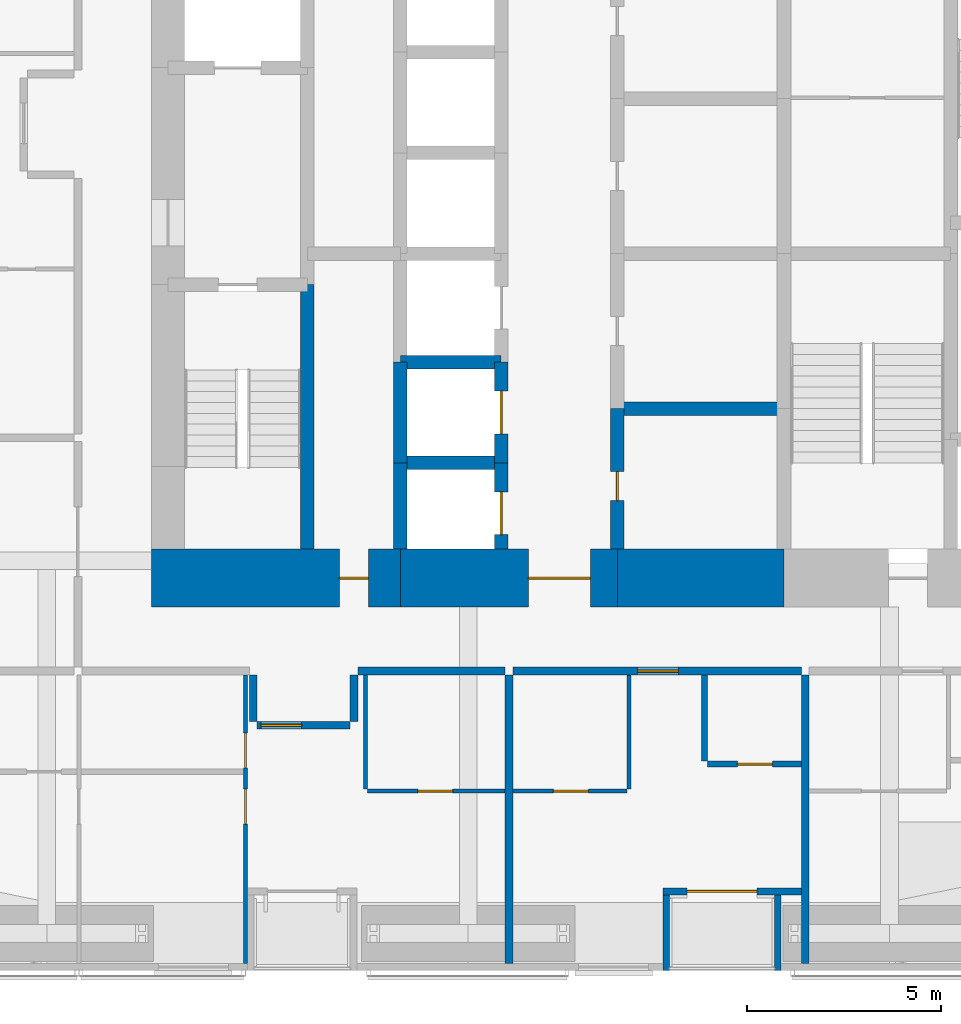
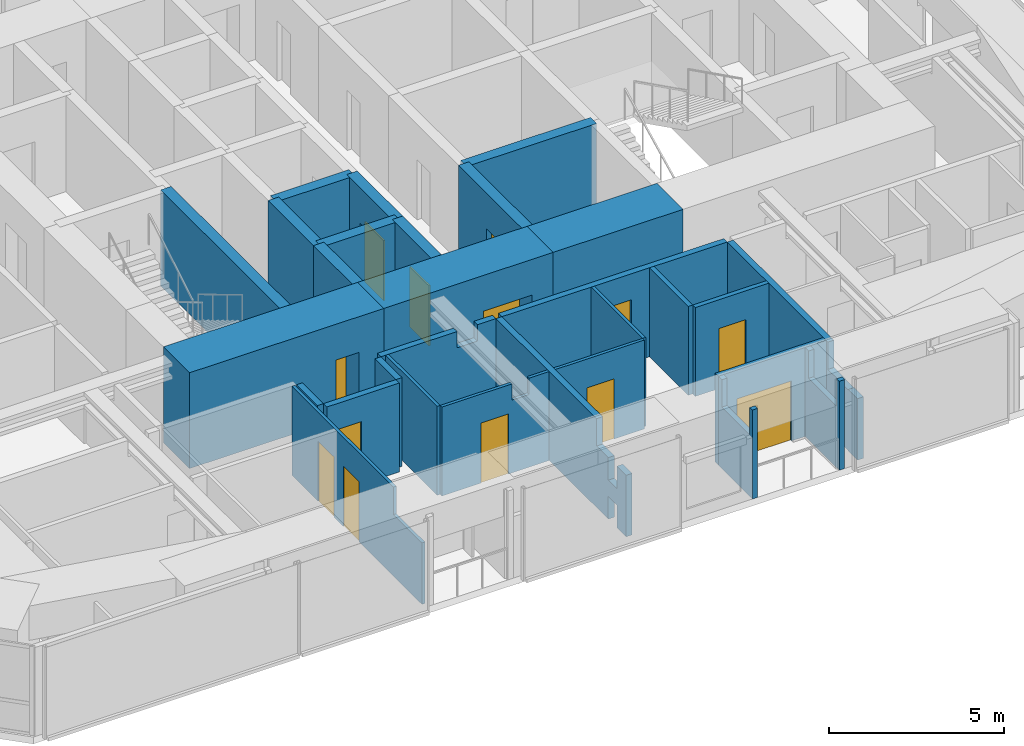
# One storey, part 18 of 25: 29 walls, 13 doors, 13 openings.
"""IFC4 building model written with IfcOpenShell, lengths in metres."""

from ifc_helpers import new_model, si_unit, direction, frame, frame_2d, origin, place, context, subcontext, project, spatial, polyline, rectangle, outline, extrude, material, layer, layer_set, constituent, constituent_set, type_object, element, fill, save


model = new_model("IFC4")

# Units and contexts
model_context = context("Model", 3, precision=1e-05, world=origin(), true_north=direction((0.0, 1.0)))
body_context = subcontext(model_context, "Body", "Model", "MODEL_VIEW")
ifc_project = project(units=[si_unit("LENGTHUNIT", "METRE"), si_unit("AREAUNIT", "SQUARE_METRE"), si_unit("VOLUMEUNIT", "CUBIC_METRE"), si_unit("PLANEANGLEUNIT", "RADIAN"), si_unit("MASSUNIT", "GRAM", prefix="KILO")], contexts=[model_context])

# Site, building, storey
site_placement = place(None, origin())
site = spatial("IfcSite", under=ifc_project, at=site_placement, CompositionType="ELEMENT")
building_placement = place(site_placement, origin())
building = spatial("IfcBuilding", under=site, at=building_placement, Name="Jalousie Tower", CompositionType="ELEMENT")
storey_placement = place(building_placement, frame((0.0, 0.0, 101.5)))
storey = spatial("IfcBuildingStorey", under=building, at=storey_placement, Name="L27", CompositionType="ELEMENT", Elevation=101.5)

# Wall, opening, door
ifc_material_1 = material(Name="Concrete block ASTM C90", Category="concrete")
ifc_constituent_1 = constituent(ifc_material_1, Name="Body")
ifc_material_2 = material(Name="Render")
ifc_constituent_2 = constituent(ifc_material_2, Name="Finish")
ifc_constituent_set_1 = constituent_set(constituents=[ifc_constituent_1, ifc_constituent_2])
wall_type_1 = type_object("IfcWallType", Name="BATHROOM WALL 150", PredefinedType="PLUMBINGWALL", material=ifc_constituent_set_1)
wall_1_placement = place(storey_placement, frame((33.925048828125, 5.324951171875, 0.0), z_axis=(0.0, 0.0, 1.0), x_axis=(1.0, 0.0, 0.0)))
wall_1 = element("IfcWall", 1, at=wall_1_placement, inside=storey, type_object=wall_type_1, Name="Bathroom Wall 150 L27", PredefinedType="PLUMBINGWALL", context=body_context, shape_type="SweptSolid", body=[
    extrude(rectangle(XDim=2.425048828125, YDim=0.14990234375, at=frame_2d((1.21240234375, 0.0))), origin(), (0.0, 0.0, 1.0), 3.110107421875),
])
opening_1_placement = place(wall_1_placement, frame((0.77490234375, 0.0, 0.0)))
opening_1 = element("IfcOpeningElement", 2, at=opening_1_placement, cuts=wall_1, Name="Opening D3", PredefinedType="OPENING", context=body_context, shape_type="SweptSolid", body=[
    extrude(rectangle(XDim=0.89990234375, YDim=2.10009765625, at=frame_2d((0.449951171875, 1.050048828125))), frame((0.0, 0.0849609375, 0.0), z_axis=(0.0, -1.0, 0.0), x_axis=(1.0, 0.0, 0.0)), (0.0, 0.0, 1.0), 0.169921875),
])
ifc_material_3 = material(Name="Timber door", Category="wood")
door_type_1 = type_object("IfcDoorType", Name="BATHROOM DOOR 900", OperationType="SINGLE_SWING_LEFT", PredefinedType="DOOR", material=ifc_material_3)
door_1_placement = place(opening_1_placement, origin())
door_1 = element("IfcDoor", 3, at=door_1_placement, inside=storey, type_object=door_type_1, Name="Apartment 2702 bathroom door", OperationType="SINGLE_SWING_RIGHT", OverallHeight=2.10009765625, OverallWidth=0.89990234375, PredefinedType="DOOR", context=body_context, shape_type="SweptSolid", body=[
    extrude(rectangle(XDim=0.89990234375, YDim=2.10009765625, at=frame_2d((0.449951171875, 1.050048828125))), frame((0.0, 0.02490234375, 0.0), z_axis=(0.0, -1.0, 0.0), x_axis=(1.0, 0.0, 0.0)), (0.0, 0.0, 1.0), 0.050048828125),
])
fill(opening_1, door_1)

# Wall
wall_2_placement = place(storey_placement, frame((33.85009765625, 5.39990234375, 0.0), z_axis=(0.0, 0.0, 1.0), x_axis=(0.0, 1.0, 0.0)))
element("IfcWall", 4, at=wall_2_placement, inside=storey, type_object=wall_type_1, Name="Bathroom Wall 150 L27", PredefinedType="PLUMBINGWALL", context=body_context, shape_type="SweptSolid", body=[
    extrude(rectangle(XDim=2.22509765625, YDim=0.14990234375, at=frame_2d((1.112548828125, 0.0))), origin(), (0.0, 0.0, 1.0), 3.110107421875),
])

# Wall, opening, door
ifc_material_4 = material(Name="Concrete f'c 120 MPa", Category="concrete")
ifc_layer_1 = layer(ifc_material_4, 1.5)
ifc_layer_set_1 = layer_set([ifc_layer_1], Name="Concrete f'c 120 MPa")
wall_type_2 = type_object("IfcWallType", Name="CORE WALL 1500", PredefinedType="SHEAR", material=ifc_layer_set_1)
wall_3_placement = place(storey_placement, frame((19.574951171875, 10.125, 0.0), z_axis=(0.0, 0.0, 1.0), x_axis=(1.0, 0.0, 0.0)))
wall_3 = element("IfcWall", 5, at=wall_3_placement, inside=storey, type_object=wall_type_2, Name="Core wall SA L27", PredefinedType="SHEAR", context=body_context, shape_type="SweptSolid", body=[
    extrude(rectangle(XDim=6.425048828125, YDim=1.5, at=frame_2d((3.21240234375, 0.0))), origin(), (0.0, 0.0, 1.0), 3.35009765625),
])
opening_2_placement = place(wall_3_placement, frame((4.85009765625, 0.0, 0.0)))
opening_2 = element("IfcOpeningElement", 6, at=opening_2_placement, cuts=wall_3, Name="Opening D16", PredefinedType="OPENING", context=body_context, shape_type="SweptSolid", body=[
    extrude(rectangle(XDim=0.75, YDim=2.10009765625, at=frame_2d((0.375, 1.050048828125))), frame((0.0, 0.760009765625, 0.0), z_axis=(0.0, -1.0, 0.0), x_axis=(1.0, 0.0, 0.0)), (0.0, 0.0, 1.0), 1.52001953125),
])
ifc_material_5 = material(Name="Steel fire door", Category="steel")
door_type_2 = type_object("IfcDoorType", Name="RISER DOOR 750", OperationType="SINGLE_SWING_LEFT", PredefinedType="DOOR", material=ifc_material_5)
door_2_placement = place(opening_2_placement, origin())
door_2 = element("IfcDoor", 7, at=door_2_placement, inside=storey, type_object=door_type_2, Name="South riser door", OperationType="SINGLE_SWING_LEFT", OverallHeight=2.10009765625, OverallWidth=0.75, PredefinedType="DOOR", context=body_context, shape_type="SweptSolid", body=[
    extrude(rectangle(XDim=0.75, YDim=2.10009765625, at=frame_2d((0.375, 1.050048828125))), frame((0.0, 0.02490234375, 0.0), z_axis=(0.0, -1.0, 0.0), x_axis=(1.0, 0.0, 0.0)), (0.0, 0.0, 1.0), 0.050048828125),
])
fill(opening_2, door_2)

wall_4_placement = place(storey_placement, frame((26.0, 10.125, 0.0), z_axis=(0.0, 0.0, 1.0), x_axis=(1.0, 0.0, 0.0)))
wall_4 = element("IfcWall", 8, at=wall_4_placement, inside=storey, type_object=wall_type_2, Name="Core wall SB L27", PredefinedType="SHEAR", context=body_context, shape_type="SweptSolid", body=[
    extrude(rectangle(XDim=5.60009765625, YDim=1.5, at=frame_2d((2.800048828125, 0.0))), origin(), (0.0, 0.0, 1.0), 3.35009765625),
])
opening_3_placement = place(wall_4_placement, frame((3.300048828125, 0.0, 0.0)))
opening_3 = element("IfcOpeningElement", 9, at=opening_3_placement, cuts=wall_4, Name="Opening D15", PredefinedType="OPENING", context=body_context, shape_type="SweptSolid", body=[
    extrude(rectangle(XDim=1.60009765625, YDim=2.10009765625, at=frame_2d((0.800048828125, 1.050048828125))), frame((0.0, 0.760009765625, 0.0), z_axis=(0.0, -1.0, 0.0), x_axis=(1.0, 0.0, 0.0)), (0.0, 0.0, 1.0), 1.52001953125),
])
ifc_material_6 = material(Name="Steel fire door", Category="steel")
door_type_3 = type_object("IfcDoorType", Name="LIFT LOBBY DOOR 1600", OperationType="DOUBLE_DOOR_SINGLE_SWING", PredefinedType="DOOR", material=ifc_material_6)
door_3_placement = place(opening_3_placement, origin())
door_3 = element("IfcDoor", 10, at=door_3_placement, inside=storey, type_object=door_type_3, Name="Lift lobby south door", OperationType="DOUBLE_DOOR_SINGLE_SWING", OverallHeight=2.10009765625, OverallWidth=1.60009765625, PredefinedType="DOOR", context=body_context, shape_type="SweptSolid", body=[
    extrude(rectangle(XDim=1.60009765625, YDim=2.10009765625, at=frame_2d((0.800048828125, 1.050048828125))), frame((0.0, 0.02490234375, 0.0), z_axis=(0.0, -1.0, 0.0), x_axis=(1.0, 0.0, 0.0)), (0.0, 0.0, 1.0), 0.050048828125),
])
fill(opening_3, door_3)

# Walls
wall_5_placement = place(storey_placement, frame((31.60009765625, 10.125, 0.0), z_axis=(0.0, 0.0, 1.0), x_axis=(1.0, 0.0, 0.0)))
element("IfcWall", 11, at=wall_5_placement, inside=storey, type_object=wall_type_2, Name="Core wall SC L27", PredefinedType="SHEAR", context=body_context, shape_type="SweptSolid", body=[
    extrude(rectangle(XDim=4.2998046875, YDim=1.5, at=frame_2d((2.14990234375, 0.0))), origin(), (0.0, 0.0, 1.0), 3.35009765625),
])
ifc_material_7 = material(Name="Concrete f'c 120 MPa", Category="concrete")
ifc_layer_2 = layer(ifc_material_7, 0.35009765625)
ifc_layer_set_2 = layer_set([ifc_layer_2], Name="Concrete f'c 120 MPa")
wall_type_3 = type_object("IfcWallType", Name="CORE WALL 350", PredefinedType="SHEAR", material=ifc_layer_set_2)
wall_6_placement = place(storey_placement, frame((23.60009765625, 10.875, 0.0), z_axis=(0.0, 0.0, 1.0), x_axis=(0.0, 1.0, 0.0)))
element("IfcWall", 12, at=wall_6_placement, inside=storey, type_object=wall_type_3, Name="Core wall X23.6A L27", PredefinedType="SHEAR", context=body_context, shape_type="SweptSolid", body=[
    extrude(rectangle(XDim=6.824951171875, YDim=0.35009765625, at=frame_2d((3.41259765625, 0.0))), origin(), (0.0, 0.0, 1.0), 3.35009765625),
])
wall_7_placement = place(storey_placement, frame((26.0, 10.875, 0.0), z_axis=(0.0, 0.0, 1.0), x_axis=(0.0, 1.0, 0.0)))
element("IfcWall", 13, at=wall_7_placement, inside=storey, type_object=wall_type_3, Name="Core wall X26A L27", PredefinedType="SHEAR", context=body_context, shape_type="SweptSolid", body=[
    extrude(rectangle(XDim=2.22509765625, YDim=0.35009765625, at=frame_2d((1.112548828125, 0.0))), origin(), (0.0, 0.0, 1.0), 3.35009765625),
])
wall_8_placement = place(storey_placement, frame((26.0, 13.10009765625, 0.0), z_axis=(0.0, 0.0, 1.0), x_axis=(0.0, 1.0, 0.0)))
element("IfcWall", 14, at=wall_8_placement, inside=storey, type_object=wall_type_3, Name="Core wall X26B L27", PredefinedType="SHEAR", context=body_context, shape_type="SweptSolid", body=[
    extrude(rectangle(XDim=2.599853515625, YDim=0.35009765625, at=frame_2d((1.2998046875, 0.0))), origin(), (0.0, 0.0, 1.0), 3.35009765625),
])

# Wall, opening, door
wall_9_placement = place(storey_placement, frame((28.60009765625, 10.875, 0.0), z_axis=(0.0, 0.0, 1.0), x_axis=(0.0, 1.0, 0.0)))
wall_9 = element("IfcWall", 15, at=wall_9_placement, inside=storey, type_object=wall_type_3, Name="Core wall X28.6A L27", PredefinedType="SHEAR", context=body_context, shape_type="SweptSolid", body=[
    extrude(rectangle(XDim=2.22509765625, YDim=0.35009765625, at=frame_2d((1.112548828125, 0.0))), origin(), (0.0, 0.0, 1.0), 3.35009765625),
])
opening_4_placement = place(wall_9_placement, frame((0.375, 0.0, 0.0)))
opening_4 = element("IfcOpeningElement", 16, at=opening_4_placement, cuts=wall_9, Name="Opening LD1", PredefinedType="OPENING", context=body_context, shape_type="SweptSolid", body=[
    extrude(rectangle(XDim=1.10009765625, YDim=2.10009765625, at=frame_2d((0.550048828125, 1.050048828125))), frame((0.0, 0.18505859375, 0.0), z_axis=(0.0, -1.0, 0.0), x_axis=(1.0, 0.0, 0.0)), (0.0, 0.0, 1.0), 0.3701171875),
])
ifc_material_8 = material(Name="Steel lift landing door", Category="steel")
door_type_4 = type_object("IfcDoorType", Name="LIFT LANDING DOOR 1100", OperationType="SLIDING_TO_LEFT", PredefinedType="DOOR", material=ifc_material_8)
door_4_placement = place(opening_4_placement, origin())
door_4 = element("IfcDoor", 17, at=door_4_placement, inside=storey, type_object=door_type_4, Name="Lift P1 landing door", OperationType="SLIDING_TO_LEFT", OverallHeight=2.10009765625, OverallWidth=1.10009765625, PredefinedType="DOOR", context=body_context, shape_type="SweptSolid", body=[
    extrude(rectangle(XDim=1.10009765625, YDim=2.10009765625, at=frame_2d((0.550048828125, 1.050048828125))), frame((0.0, 0.02490234375, 0.0), z_axis=(0.0, -1.0, 0.0), x_axis=(1.0, 0.0, 0.0)), (0.0, 0.0, 1.0), 0.050048828125),
])
fill(opening_4, door_4)

wall_10_placement = place(storey_placement, frame((28.60009765625, 13.10009765625, 0.0), z_axis=(0.0, 0.0, 1.0), x_axis=(0.0, 1.0, 0.0)))
wall_10 = element("IfcWall", 18, at=wall_10_placement, inside=storey, type_object=wall_type_3, Name="Core wall X28.6B L27", PredefinedType="SHEAR", context=body_context, shape_type="SweptSolid", body=[
    extrude(rectangle(XDim=2.599853515625, YDim=0.35009765625, at=frame_2d((1.2998046875, 0.0))), origin(), (0.0, 0.0, 1.0), 3.35009765625),
])
opening_5_placement = place(wall_10_placement, frame((0.75, 0.0, 0.0)))
opening_5 = element("IfcOpeningElement", 19, at=opening_5_placement, cuts=wall_10, Name="Opening LD1", PredefinedType="OPENING", context=body_context, shape_type="SweptSolid", body=[
    extrude(rectangle(XDim=1.10009765625, YDim=2.10009765625, at=frame_2d((0.550048828125, 1.050048828125))), frame((0.0, 0.18505859375, 0.0), z_axis=(0.0, -1.0, 0.0), x_axis=(1.0, 0.0, 0.0)), (0.0, 0.0, 1.0), 0.3701171875),
])
door_5_placement = place(opening_5_placement, origin())
door_5 = element("IfcDoor", 20, at=door_5_placement, inside=storey, type_object=door_type_4, Name="Lift P2 landing door", OperationType="SLIDING_TO_LEFT", OverallHeight=2.10009765625, OverallWidth=1.10009765625, PredefinedType="DOOR", context=body_context, shape_type="SweptSolid", body=[
    extrude(rectangle(XDim=1.10009765625, YDim=2.10009765625, at=frame_2d((0.550048828125, 1.050048828125))), frame((0.0, 0.02490234375, 0.0), z_axis=(0.0, -1.0, 0.0), x_axis=(1.0, 0.0, 0.0)), (0.0, 0.0, 1.0), 0.050048828125),
])
fill(opening_5, door_5)

wall_11_placement = place(storey_placement, frame((31.60009765625, 10.875, 0.0), z_axis=(0.0, 0.0, 1.0), x_axis=(0.0, 1.0, 0.0)))
wall_11 = element("IfcWall", 21, at=wall_11_placement, inside=storey, type_object=wall_type_3, Name="Core wall X31.6A L27", PredefinedType="SHEAR", context=body_context, shape_type="SweptSolid", body=[
    extrude(rectangle(XDim=3.625, YDim=0.35009765625, at=frame_2d((1.8125, 0.0))), origin(), (0.0, 0.0, 1.0), 3.35009765625),
])
opening_6_placement = place(wall_11_placement, frame((1.25, 0.0, 0.0)))
opening_6 = element("IfcOpeningElement", 22, at=opening_6_placement, cuts=wall_11, Name="Opening D16", PredefinedType="OPENING", context=body_context, shape_type="SweptSolid", body=[
    extrude(rectangle(XDim=0.75, YDim=2.10009765625, at=frame_2d((0.375, 1.050048828125))), frame((0.0, 0.18505859375, 0.0), z_axis=(0.0, -1.0, 0.0), x_axis=(1.0, 0.0, 0.0)), (0.0, 0.0, 1.0), 0.3701171875),
])
door_6_placement = place(opening_6_placement, frame((0.75, 0.0, 0.0), z_axis=(0.0, 0.0, 1.0), x_axis=(-1.0, 0.0, 0.0)))
door_6 = element("IfcDoor", 23, at=door_6_placement, inside=storey, type_object=door_type_2, Name="Refuse Room door", OperationType="SINGLE_SWING_RIGHT", OverallHeight=2.10009765625, OverallWidth=0.75, PredefinedType="DOOR", context=body_context, shape_type="SweptSolid", body=[
    extrude(rectangle(XDim=0.75, YDim=2.10009765625, at=frame_2d((0.375, 1.050048828125))), frame((0.0, 0.02490234375, 0.0), z_axis=(0.0, -1.0, 0.0), x_axis=(1.0, 0.0, 0.0)), (0.0, 0.0, 1.0), 0.050048828125),
])
fill(opening_6, door_6)

# Walls
for number, where, z_axis, x_axis, name in (
    (24, (26.0, 13.10009765625, 0.0), (0.0, 0.0, 1.0), (1.0, 0.0, 0.0), "Core wall Y26-13.1 L27"),
    (25, (26.0, 15.699951171875, 0.0), (0.0, 0.0, 1.0), (1.0, 0.0, 0.0), "Core wall Y26-15.7 L27"),
):
    element("IfcWall", number, at=place(storey_placement, frame(where, z_axis=z_axis, x_axis=x_axis)), inside=storey, type_object=wall_type_3, Name=name, PredefinedType="SHEAR", context=body_context, shape_type="SweptSolid", body=[
        extrude(rectangle(XDim=2.60009765625, YDim=0.35009765625, at=frame_2d((1.300048828125, 0.0))), origin(), (0.0, 0.0, 1.0), 3.35009765625),
    ])
wall_12_placement = place(storey_placement, frame((31.60009765625, 14.5, 0.0), z_axis=(0.0, 0.0, 1.0), x_axis=(1.0, 0.0, 0.0)))
element("IfcWall", 26, at=wall_12_placement, inside=storey, type_object=wall_type_3, Name="Core wall Y31.6-14.5 L27", PredefinedType="SHEAR", context=body_context, shape_type="SweptSolid", body=[
    extrude(rectangle(XDim=4.2998046875, YDim=0.35009765625, at=frame_2d((2.14990234375, 0.0))), origin(), (0.0, 0.0, 1.0), 3.35009765625),
])

# Wall, opening, door
ifc_material_9 = material(Name="Concrete block ASTM C90", Category="concrete")
ifc_constituent_3 = constituent(ifc_material_9, Name="Body")
ifc_material_10 = material(Name="Render")
ifc_constituent_4 = constituent(ifc_material_10, Name="Finish")
ifc_constituent_set_2 = constituent_set(constituents=[ifc_constituent_3, ifc_constituent_4])
wall_type_4 = type_object("IfcWallType", Name="CORRIDOR WALL 200", PredefinedType="PARTITIONING", material=ifc_constituent_set_2)
wall_13_placement = place(storey_placement, frame((28.89990234375, 7.72509765625, 0.0), z_axis=(0.0, 0.0, 1.0), x_axis=(1.0, 0.0, 0.0)))
wall_13 = element("IfcWall", 27, at=wall_13_placement, inside=storey, type_object=wall_type_4, Name="Corridor Wall 200 L27", PredefinedType="PARTITIONING", context=body_context, shape_type="SweptSolid", body=[
    extrude(rectangle(XDim=7.4501953125, YDim=0.199951171875, at=frame_2d((3.72509765625, 0.0))), origin(), (0.0, 0.0, 1.0), 3.110107421875),
])
opening_7_placement = place(wall_13_placement, frame((3.22509765625, 0.0, 0.0)))
opening_7 = element("IfcOpeningElement", 28, at=opening_7_placement, cuts=wall_13, Name="Opening D1", PredefinedType="OPENING", context=body_context, shape_type="SweptSolid", body=[
    extrude(rectangle(XDim=1.050048828125, YDim=2.199951171875, at=frame_2d((0.52490234375, 1.10009765625))), frame((0.0, 0.10986328125, 0.0), z_axis=(0.0, -1.0, 0.0), x_axis=(1.0, 0.0, 0.0)), (0.0, 0.0, 1.0), 0.219970703125),
])
ifc_material_11 = material(Name="Timber fire door", Category="wood")
door_type_5 = type_object("IfcDoorType", Name="APARTMENT ENTRANCE DOOR 1050", OperationType="SINGLE_SWING_LEFT", PredefinedType="DOOR", material=ifc_material_11)
door_7_placement = place(opening_7_placement, frame((1.050048828125, 0.0, 0.0), z_axis=(0.0, 0.0, 1.0), x_axis=(-1.0, 0.0, 0.0)))
door_7 = element("IfcDoor", 29, at=door_7_placement, inside=storey, type_object=door_type_5, Name="Apartment 2702 entrance", OperationType="SINGLE_SWING_RIGHT", OverallHeight=2.199951171875, OverallWidth=1.050048828125, PredefinedType="DOOR", context=body_context, shape_type="SweptSolid", body=[
    extrude(rectangle(XDim=1.050048828125, YDim=2.199951171875, at=frame_2d((0.52490234375, 1.10009765625))), frame((0.0, 0.02490234375, 0.0), z_axis=(0.0, -1.0, 0.0), x_axis=(1.0, 0.0, 0.0)), (0.0, 0.0, 1.0), 0.050048828125),
])
fill(opening_7, door_7)

# Wall
wall_14_placement = place(storey_placement, frame((24.89990234375, 7.72509765625, 0.0), z_axis=(0.0, 0.0, 1.0), x_axis=(1.0, 0.0, 0.0)))
element("IfcWall", 30, at=wall_14_placement, inside=storey, type_object=wall_type_4, Name="Corridor Wall 200 L27", PredefinedType="PARTITIONING", context=body_context, shape_type="SweptSolid", body=[
    extrude(outline(polyline([(0.0, 0.0), (3.800048828125, 0.0), (3.800048828125, 3.110107421875), (3.187255859375, 3.110107421875), (3.187255859375, 2.541015625), (2.5126953125, 2.541015625), (2.5126953125, 3.110107421875), (0.0, 3.110107421875), (0.0, 0.0)])), frame((0.0, 0.10009765625, 0.0), z_axis=(0.0, -1.0, 0.0), x_axis=(1.0, 0.0, 0.0)), (0.0, 0.0, 1.0), 0.199951171875),
])

# Wall, opening, door
wall_15_placement = place(storey_placement, frame((22.300048828125, 6.324951171875, 0.0), z_axis=(0.0, 0.0, 1.0), x_axis=(1.0, 0.0, 0.0)))
wall_15 = element("IfcWall", 31, at=wall_15_placement, inside=storey, type_object=wall_type_4, Name="Corridor Wall 200 L27", PredefinedType="PARTITIONING", context=body_context, shape_type="SweptSolid", body=[
    extrude(rectangle(XDim=2.39990234375, YDim=0.199951171875, at=frame_2d((1.199951171875, 0.0))), origin(), (0.0, 0.0, 1.0), 3.110107421875),
])
opening_8_placement = place(wall_15_placement, frame((0.10009765625, 0.0, 0.0)))
opening_8 = element("IfcOpeningElement", 32, at=opening_8_placement, cuts=wall_15, Name="Opening D1", PredefinedType="OPENING", context=body_context, shape_type="SweptSolid", body=[
    extrude(rectangle(XDim=1.050048828125, YDim=2.199951171875, at=frame_2d((0.52490234375, 1.10009765625))), frame((0.0, 0.10986328125, 0.0), z_axis=(0.0, -1.0, 0.0), x_axis=(1.0, 0.0, 0.0)), (0.0, 0.0, 1.0), 0.219970703125),
])
door_8_placement = place(opening_8_placement, frame((1.050048828125, 0.0, 0.0), z_axis=(0.0, 0.0, 1.0), x_axis=(-1.0, 0.0, 0.0)))
door_8 = element("IfcDoor", 33, at=door_8_placement, inside=storey, type_object=door_type_5, Name="Apartment 2701 entrance", OperationType="SINGLE_SWING_RIGHT", OverallHeight=2.199951171875, OverallWidth=1.050048828125, PredefinedType="DOOR", context=body_context, shape_type="SweptSolid", body=[
    extrude(rectangle(XDim=1.050048828125, YDim=2.199951171875, at=frame_2d((0.52490234375, 1.10009765625))), frame((0.0, 0.02490234375, 0.0), z_axis=(0.0, -1.0, 0.0), x_axis=(1.0, 0.0, 0.0)), (0.0, 0.0, 1.0), 0.050048828125),
])
fill(opening_8, door_8)

# Walls
for number, where, z_axis, x_axis, name in (
    (34, (22.199951171875, 7.625, 0.0), (0.0, 0.0, 1.0), (0.0, -1.0, 0.0), "Corridor Wall 200 L27"),
    (35, (24.800048828125, 7.625, 0.0), (0.0, 0.0, 1.0), (0.0, -1.0, 0.0), "Corridor Wall 200 L27"),
):
    element("IfcWall", number, at=place(storey_placement, frame(where, z_axis=z_axis, x_axis=x_axis)), inside=storey, type_object=wall_type_4, Name=name, PredefinedType="PARTITIONING", context=body_context, shape_type="SweptSolid", body=[
        extrude(rectangle(XDim=1.199951171875, YDim=0.199951171875, at=frame_2d((0.60009765625, 0.0))), origin(), (0.0, 0.0, 1.0), 3.110107421875),
    ])

# Wall, opening, door
ifc_material_12 = material(Name="Concrete f'c 40 MPa", Category="concrete")
ifc_constituent_5 = constituent(ifc_material_12, Name="Body")
ifc_material_13 = material(Name="Render, pastel sea green")
ifc_constituent_6 = constituent(ifc_material_13, Name="Finish")
ifc_constituent_set_3 = constituent_set(constituents=[ifc_constituent_5, ifc_constituent_6])
wall_type_5 = type_object("IfcWallType", Name="EXTERNAL WALL 175 SEA GREEN RENDER", PredefinedType="SOLIDWALL", material=ifc_constituent_set_3)
wall_16_placement = place(storey_placement, frame((32.77490234375, 2.03759765625, 0.0), z_axis=(0.0, 0.0, 1.0), x_axis=(1.0, 0.0, 0.0)))
wall_16 = element("IfcWall", 36, at=wall_16_placement, inside=storey, type_object=wall_type_5, Name="External Wall 175 Sea Green Render L27", PredefinedType="SOLIDWALL", context=body_context, shape_type="SweptSolid", body=[
    extrude(rectangle(XDim=3.5751953125, YDim=0.175048828125, at=frame_2d((1.78759765625, 0.0))), origin(), (0.0, 0.0, 1.0), 3.110107421875),
])
opening_9_placement = place(wall_16_placement, frame((0.625, 0.0, 0.0)))
opening_9 = element("IfcOpeningElement", 37, at=opening_9_placement, cuts=wall_16, Name="Opening D-BAL21", PredefinedType="OPENING", context=body_context, shape_type="SweptSolid", body=[
    extrude(rectangle(XDim=1.800048828125, YDim=2.10009765625, at=frame_2d((0.89990234375, 1.050048828125))), frame((0.0, 0.097412109375, 0.0), z_axis=(0.0, -1.0, 0.0), x_axis=(1.0, 0.0, 0.0)), (0.0, 0.0, 1.0), 0.195068359375),
])
ifc_material_14 = material(Name="Aluminium frame, impact-rated glazing", Category="aluminium")
door_type_6 = type_object("IfcDoorType", Name="BALCONY DOOR 1800x2100", OperationType="SLIDING_TO_LEFT", PredefinedType="DOOR", material=ifc_material_14)
door_9_placement = place(opening_9_placement, origin())
door_9 = element("IfcDoor", 38, at=door_9_placement, inside=storey, type_object=door_type_6, Name="Apartment 2702 studio living and sleeping room loggia door", OperationType="SLIDING_TO_LEFT", OverallHeight=2.10009765625, OverallWidth=1.800048828125, PredefinedType="DOOR", context=body_context, shape_type="SweptSolid", body=[
    extrude(rectangle(XDim=1.800048828125, YDim=2.10009765625, at=frame_2d((0.89990234375, 1.050048828125))), frame((0.0, 0.02490234375, 0.0), z_axis=(0.0, -1.0, 0.0), x_axis=(1.0, 0.0, 0.0)), (0.0, 0.0, 1.0), 0.050048828125),
])
fill(opening_9, door_9)

# Walls
for number, where, z_axis, x_axis, name in (
    (39, (32.862548828125, 0.0, 0.0), (0.0, 0.0, 1.0), (0.0, 1.0, 0.0), "External Wall 175 Sea Green Render L27"),
    (40, (35.737548828125, 0.0, 0.0), (0.0, 0.0, 1.0), (0.0, 1.0, 0.0), "External Wall 175 Sea Green Render L27"),
):
    element("IfcWall", number, at=place(storey_placement, frame(where, z_axis=z_axis, x_axis=x_axis)), inside=storey, type_object=wall_type_5, Name=name, PredefinedType="SOLIDWALL", context=body_context, shape_type="SweptSolid", body=[
        extrude(outline(polyline([(0.0, 0.0), (1.949951171875, 0.0), (1.949951171875, 3.110107421875), (1.75, 3.110107421875), (1.75, 2.14990234375), (0.14990234375, 2.14990234375), (0.14990234375, 3.110107421875), (0.0, 3.110107421875), (0.0, 0.0)])), frame((0.0, 0.08740234375, 0.0), z_axis=(0.0, -1.0, 0.0), x_axis=(1.0, 0.0, 0.0)), (0.0, 0.0, 1.0), 0.175048828125),
    ])

# Wall, openings, doors
ifc_material_15 = material(Name="Gypsum board", Category="gypsum")
ifc_constituent_7 = constituent(ifc_material_15, Name="Body")
ifc_material_16 = material(Name="Light-gauge steel studs ASTM A653 SS Grade 33", Category="steel")
ifc_constituent_8 = constituent(ifc_material_16, Name="Framing")
ifc_constituent_set_4 = constituent_set(constituents=[ifc_constituent_7, ifc_constituent_8])
wall_type_6 = type_object("IfcWallType", Name="PARTITION 100", PredefinedType="PARTITIONING", material=ifc_constituent_set_4)
wall_17_placement = place(storey_placement, frame((22.0, 0.175048828125, 0.0), z_axis=(0.0, 0.0, 1.0), x_axis=(0.0, 1.0, 0.0)))
wall_17 = element("IfcWall", 41, at=wall_17_placement, inside=storey, type_object=wall_type_6, Name="Partition 100 L27", PredefinedType="PARTITIONING", context=body_context, shape_type="SweptSolid", body=[
    extrude(outline(polyline([(0.0, 0.0), (7.449951171875, 0.0), (7.449951171875, 3.110107421875), (1.635009765625, 3.110107421875), (1.635009765625, 2.14990234375), (0.0, 2.14990234375), (0.0, 3.110107421875), (0.0, 0.0)])), frame((0.0, 0.050048828125, 0.0), z_axis=(0.0, -1.0, 0.0), x_axis=(1.0, 0.0, 0.0)), (0.0, 0.0, 1.0), 0.10009765625),
])
opening_10_placement = place(wall_17_placement, frame((3.60009765625, 0.0, 0.0)))
opening_10 = element("IfcOpeningElement", 42, at=opening_10_placement, cuts=wall_17, Name="Opening D2", PredefinedType="OPENING", context=body_context, shape_type="SweptSolid", body=[
    extrude(rectangle(XDim=0.89990234375, YDim=2.10009765625, at=frame_2d((0.449951171875, 1.050048828125))), frame((0.0, 0.06005859375, 0.0), z_axis=(0.0, -1.0, 0.0), x_axis=(1.0, 0.0, 0.0)), (0.0, 0.0, 1.0), 0.1201171875),
])
opening_11_placement = place(wall_17_placement, frame((5.050048828125, 0.0, 0.0)))
opening_11 = element("IfcOpeningElement", 43, at=opening_11_placement, cuts=wall_17, Name="Opening D7", PredefinedType="OPENING", context=body_context, shape_type="SweptSolid", body=[
    extrude(rectangle(XDim=0.89990234375, YDim=2.10009765625, at=frame_2d((0.449951171875, 1.050048828125))), frame((0.0, 0.06005859375, 0.0), z_axis=(0.0, -1.0, 0.0), x_axis=(1.0, 0.0, 0.0)), (0.0, 0.0, 1.0), 0.1201171875),
])
ifc_material_17 = material(Name="Timber door", Category="wood")
door_type_7 = type_object("IfcDoorType", Name="BEDROOM DOOR 900", OperationType="SINGLE_SWING_LEFT", PredefinedType="DOOR", material=ifc_material_17)
door_10_placement = place(opening_10_placement, origin())
door_10 = element("IfcDoor", 44, at=door_10_placement, inside=storey, type_object=door_type_7, Name="Apartment 2701 bedroom 3 door", OperationType="SINGLE_SWING_RIGHT", OverallHeight=2.10009765625, OverallWidth=0.89990234375, PredefinedType="DOOR", context=body_context, shape_type="SweptSolid", body=[
    extrude(rectangle(XDim=0.89990234375, YDim=2.10009765625, at=frame_2d((0.449951171875, 1.050048828125))), frame((0.0, 0.02490234375, 0.0), z_axis=(0.0, -1.0, 0.0), x_axis=(1.0, 0.0, 0.0)), (0.0, 0.0, 1.0), 0.050048828125),
])
fill(opening_10, door_10)
ifc_material_18 = material(Name="Timber door", Category="wood")
door_type_8 = type_object("IfcDoorType", Name="INTERNAL DOOR 900", OperationType="SINGLE_SWING_LEFT", PredefinedType="DOOR", material=ifc_material_18)
door_11_placement = place(opening_11_placement, origin())
door_11 = element("IfcDoor", 45, at=door_11_placement, inside=storey, type_object=door_type_8, Name="Apartment 2701 bathroom door", OperationType="SINGLE_SWING_LEFT", OverallHeight=2.10009765625, OverallWidth=0.89990234375, PredefinedType="DOOR", context=body_context, shape_type="SweptSolid", body=[
    extrude(rectangle(XDim=0.89990234375, YDim=2.10009765625, at=frame_2d((0.449951171875, 1.050048828125))), frame((0.0, 0.02490234375, 0.0), z_axis=(0.0, -1.0, 0.0), x_axis=(1.0, 0.0, 0.0)), (0.0, 0.0, 1.0), 0.050048828125),
])
fill(opening_11, door_11)

# Wall, opening, door
wall_18_placement = place(storey_placement, frame((25.14990234375, 4.625, 0.0), z_axis=(0.0, 0.0, 1.0), x_axis=(1.0, 0.0, 0.0)))
wall_18 = element("IfcWall", 46, at=wall_18_placement, inside=storey, type_object=wall_type_6, Name="Partition 100 L27", PredefinedType="PARTITIONING", context=body_context, shape_type="SweptSolid", body=[
    extrude(outline(polyline([(0.0, 0.0), (3.550048828125, 0.0), (3.550048828125, 3.110107421875), (2.88720703125, 3.110107421875), (2.88720703125, 2.541015625), (2.3125, 2.541015625), (2.3125, 3.110107421875), (0.0, 3.110107421875), (0.0, 0.0)])), frame((0.0, 0.050048828125, 0.0), z_axis=(0.0, -1.0, 0.0), x_axis=(1.0, 0.0, 0.0)), (0.0, 0.0, 1.0), 0.10009765625),
])
opening_12_placement = place(wall_18_placement, frame((1.300048828125, 0.0, 0.0)))
opening_12 = element("IfcOpeningElement", 47, at=opening_12_placement, cuts=wall_18, Name="Opening D7", PredefinedType="OPENING", context=body_context, shape_type="SweptSolid", body=[
    extrude(rectangle(XDim=0.89990234375, YDim=2.10009765625, at=frame_2d((0.449951171875, 1.050048828125))), frame((0.0, 0.06005859375, 0.0), z_axis=(0.0, -1.0, 0.0), x_axis=(1.0, 0.0, 0.0)), (0.0, 0.0, 1.0), 0.1201171875),
])
door_12_placement = place(opening_12_placement, frame((0.89990234375, 0.0, 0.0), z_axis=(0.0, 0.0, 1.0), x_axis=(-1.0, 0.0, 0.0)))
door_12 = element("IfcDoor", 48, at=door_12_placement, inside=storey, type_object=door_type_8, Name="Apartment 2701 kitchen door", OperationType="SINGLE_SWING_LEFT", OverallHeight=2.10009765625, OverallWidth=0.89990234375, PredefinedType="DOOR", context=body_context, shape_type="SweptSolid", body=[
    extrude(rectangle(XDim=0.89990234375, YDim=2.10009765625, at=frame_2d((0.449951171875, 1.050048828125))), frame((0.0, 0.02490234375, 0.0), z_axis=(0.0, -1.0, 0.0), x_axis=(1.0, 0.0, 0.0)), (0.0, 0.0, 1.0), 0.050048828125),
])
fill(opening_12, door_12)

# Wall
wall_19_placement = place(storey_placement, frame((25.10009765625, 4.675048828125, 0.0), z_axis=(0.0, 0.0, 1.0), x_axis=(0.0, 1.0, 0.0)))
element("IfcWall", 49, at=wall_19_placement, inside=storey, type_object=wall_type_6, Name="Partition 100 L27", PredefinedType="PARTITIONING", context=body_context, shape_type="SweptSolid", body=[
    extrude(rectangle(XDim=2.949951171875, YDim=0.10009765625, at=frame_2d((1.47509765625, 0.0))), origin(), (0.0, 0.0, 1.0), 3.110107421875),
])

# Wall, opening, door
wall_20_placement = place(storey_placement, frame((28.89990234375, 4.625, 0.0), z_axis=(0.0, 0.0, 1.0), x_axis=(1.0, 0.0, 0.0)))
wall_20 = element("IfcWall", 50, at=wall_20_placement, inside=storey, type_object=wall_type_6, Name="Partition 100 L27", PredefinedType="PARTITIONING", context=body_context, shape_type="SweptSolid", body=[
    extrude(rectangle(XDim=2.9501953125, YDim=0.10009765625, at=frame_2d((1.47509765625, 0.0))), origin(), (0.0, 0.0, 1.0), 3.110107421875),
])
opening_13_placement = place(wall_20_placement, frame((1.050048828125, 0.0, 0.0)))
opening_13 = element("IfcOpeningElement", 51, at=opening_13_placement, cuts=wall_20, Name="Opening D7", PredefinedType="OPENING", context=body_context, shape_type="SweptSolid", body=[
    extrude(rectangle(XDim=0.89990234375, YDim=2.10009765625, at=frame_2d((0.449951171875, 1.050048828125))), frame((0.0, 0.06005859375, 0.0), z_axis=(0.0, -1.0, 0.0), x_axis=(1.0, 0.0, 0.0)), (0.0, 0.0, 1.0), 0.1201171875),
])
door_13_placement = place(opening_13_placement, origin())
door_13 = element("IfcDoor", 52, at=door_13_placement, inside=storey, type_object=door_type_8, Name="Apartment 2702 kitchen door", OperationType="SINGLE_SWING_RIGHT", OverallHeight=2.10009765625, OverallWidth=0.89990234375, PredefinedType="DOOR", context=body_context, shape_type="SweptSolid", body=[
    extrude(rectangle(XDim=0.89990234375, YDim=2.10009765625, at=frame_2d((0.449951171875, 1.050048828125))), frame((0.0, 0.02490234375, 0.0), z_axis=(0.0, -1.0, 0.0), x_axis=(1.0, 0.0, 0.0)), (0.0, 0.0, 1.0), 0.050048828125),
])
fill(opening_13, door_13)

# Walls
wall_21_placement = place(storey_placement, frame((31.89990234375, 4.675048828125, 0.0), z_axis=(0.0, 0.0, 1.0), x_axis=(0.0, 1.0, 0.0)))
element("IfcWall", 53, at=wall_21_placement, inside=storey, type_object=wall_type_6, Name="Partition 100 L27", PredefinedType="PARTITIONING", context=body_context, shape_type="SweptSolid", body=[
    extrude(rectangle(XDim=2.949951171875, YDim=0.10009765625, at=frame_2d((1.47509765625, 0.0))), origin(), (0.0, 0.0, 1.0), 3.110107421875),
])
ifc_material_19 = material(Name="Concrete block ASTM C90", Category="concrete")
ifc_constituent_9 = constituent(ifc_material_19, Name="Body")
ifc_material_20 = material(Name="Render")
ifc_constituent_10 = constituent(ifc_material_20, Name="Finish")
ifc_constituent_set_5 = constituent_set(constituents=[ifc_constituent_9, ifc_constituent_10])
wall_type_7 = type_object("IfcWallType", Name="PARTY WALL 200", PredefinedType="PARTITIONING", material=ifc_constituent_set_5)
wall_22_placement = place(storey_placement, frame((28.800048828125, 0.175048828125, 0.0), z_axis=(0.0, 0.0, 1.0), x_axis=(0.0, 1.0, 0.0)))
element("IfcWall", 54, at=wall_22_placement, inside=storey, type_object=wall_type_7, Name="Party Wall 200 L27", PredefinedType="PARTITIONING", context=body_context, shape_type="SweptSolid", body=[
    extrude(outline(polyline([(0.52880859375, 2.14990234375), (0.0, 2.14990234375), (0.0, 0.0), (0.52880859375, 0.0), (0.52880859375, 0.786376953125), (1.021240234375, 0.786376953125), (1.021240234375, 0.0), (7.449951171875, 0.0), (7.449951171875, 3.110107421875), (1.68505859375, 3.110107421875), (1.68505859375, 2.14990234375), (1.021240234375, 2.14990234375), (1.021240234375, 1.36376953125), (0.52880859375, 1.36376953125), (0.52880859375, 2.14990234375)])), frame((0.0, 0.10009765625, 0.0), z_axis=(0.0, -1.0, 0.0), x_axis=(1.0, 0.0, 0.0)), (0.0, 0.0, 1.0), 0.199951171875),
])
wall_23_placement = place(storey_placement, frame((36.449951171875, 0.175048828125, 0.0), z_axis=(0.0, 0.0, 1.0), x_axis=(0.0, 1.0, 0.0)))
element("IfcWall", 55, at=wall_23_placement, inside=storey, type_object=wall_type_7, Name="Party Wall 200 L27", PredefinedType="PARTITIONING", context=body_context, shape_type="SweptSolid", body=[
    extrude(outline(polyline([(0.52880859375, 2.14990234375), (0.0, 2.14990234375), (0.0, 0.0), (0.52880859375, 0.0), (0.52880859375, 0.01708984375), (1.021240234375, 0.01708984375), (1.021240234375, 0.0), (7.449951171875, 0.0), (7.449951171875, 3.110107421875), (1.68505859375, 3.110107421875), (1.68505859375, 2.14990234375), (1.021240234375, 2.14990234375), (1.021240234375, 2.1328125), (0.52880859375, 2.1328125), (0.52880859375, 2.14990234375)])), frame((0.0, 0.10009765625, 0.0), z_axis=(0.0, -1.0, 0.0), x_axis=(1.0, 0.0, 0.0)), (0.0, 0.0, 1.0), 0.199951171875),
])

save(model, "model.ifc")
